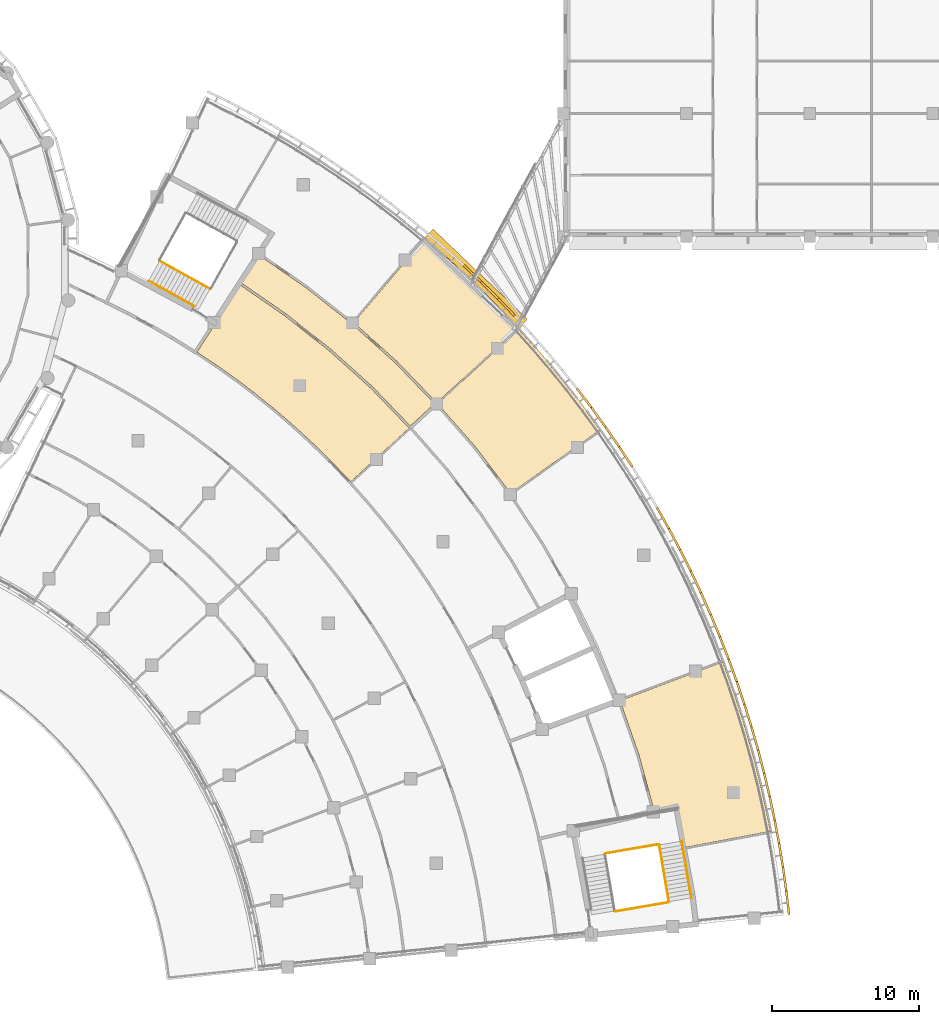
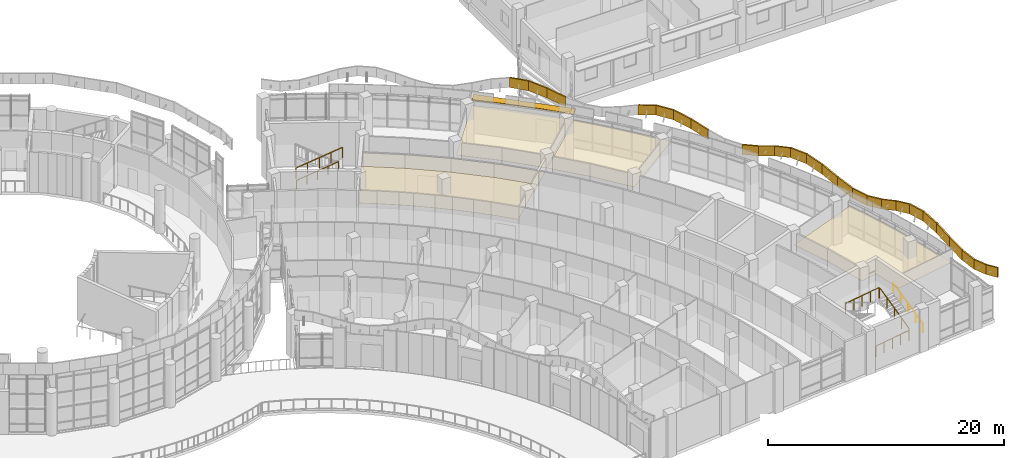
# One storey, part 126 of 136: 30 coverings, 6 railings, 1 shading device.
"""IFC4 building model written with IfcOpenShell, lengths in metres."""

from ifc_helpers import new_model, si_unit, direction, frame, origin, origin_2d, place, context, subcontext, project, spatial, polyline, circle, outline, extrude, material, layer, layer_set, type_object, element, save


model = new_model("IFC4")

# Units and contexts
model_context = context("Model", 3, precision=1e-05, world=origin(), true_north=direction((0.0, 1.0)))
body_context = subcontext(model_context, "Body", "Model", "MODEL_VIEW")
ifc_project = project(units=[si_unit("LENGTHUNIT", "METRE"), si_unit("AREAUNIT", "SQUARE_METRE"), si_unit("VOLUMEUNIT", "CUBIC_METRE"), si_unit("PLANEANGLEUNIT", "RADIAN"), si_unit("MASSUNIT", "GRAM", prefix="KILO")], contexts=[model_context])

# Site, building, storey
site_placement = place(None, origin())
site = spatial("IfcSite", under=ifc_project, at=site_placement, CompositionType="ELEMENT")
building_placement = place(site_placement, origin())
building = spatial("IfcBuilding", under=site, at=building_placement, Name="Bougainvillea Quay General Hospital", CompositionType="ELEMENT")
storey_placement = place(building_placement, frame((0.0, 0.0, 5.39990234375)))
storey = spatial("IfcBuildingStorey", under=building, at=storey_placement, Name="L01", CompositionType="ELEMENT", Elevation=5.39990234375)

# Coverings
ifc_material_1 = material(Name="Powder-coated aluminium fascia, yellow", Category="aluminium")
ifc_layer_1 = layer(ifc_material_1, 0.14990234375)
ifc_layer_set_1 = layer_set([ifc_layer_1], Name="Powder-coated aluminium fascia, yellow")
covering_type_1 = type_object("IfcCoveringType", Name="Aluminium wave fascia ribbon yellow 150x1000", PredefinedType="CLADDING", material=ifc_layer_set_1)
covering_1_placement = place(storey_placement, frame((179.114990234375, 29.351806640625, 4.19140625), z_axis=(-0.039802592448, 0.342501229596, 0.938673884456), x_axis=(-0.108973280462, 0.932326944529, -0.344806166781)))
element("IfcCovering", 1, at=covering_1_placement, inside=storey, type_object=covering_type_1, Name="Fascia ribbon yellow a23 1", PredefinedType="CLADDING", context=body_context, shape_type="SweptSolid", body=[
    extrude(outline(polyline([(0.0, 0.0), (1.7340441035636185, 4.851804721872632e-18), (1.7360496079670933, -0.1501579009468393), (-6.799023924437819e-05, -0.14993115295517168), (0.0, 0.0)])), origin(), (-0.344806166781, 0.00021445315, 0.938673884456), 1.0),
])
covering_2_placement = place(storey_placement, frame((178.926025390625, 30.968505859375, 3.593017578125), z_axis=(-0.030620838565, 0.216660235657, 0.975766727518), x_axis=(-0.13566321057, 0.966289934833, -0.218813288302)))
element("IfcCovering", 2, at=covering_2_placement, inside=storey, type_object=covering_type_1, Name="Fascia ribbon yellow a23 2", PredefinedType="CLADDING", context=body_context, shape_type="SweptSolid", body=[
    extrude(outline(polyline([(0.0, 0.0), (1.671868344867366, 5.0903291998194433e-17), (1.6737570676241027, -0.14991085398846166), (-0.0016202311729459952, -0.15016089651305273), (0.0, 0.0)])), origin(), (-0.218813288302, -0.000195784929, 0.975766727518), 1.0),
])
covering_3_placement = place(storey_placement, frame((178.69921875, 32.583984375, 3.22705078125), z_axis=(0.007718186612, -0.047007247102, 0.998864729738), x_axis=(-0.161884880431, 0.985659187452, 0.047636663187)))
element("IfcCovering", 3, at=covering_3_placement, inside=storey, type_object=covering_type_1, Name="Fascia ribbon yellow a23 3", PredefinedType="CLADDING", context=body_context, shape_type="SweptSolid", body=[
    extrude(outline(polyline([(0.0, 0.0), (1.6332779459125402, -1.7192227730420534e-17), (1.6348861387524976, -0.14994650111317376), (-0.0016224254520616293, -0.14991394751272352), (0.0, 0.0)])), origin(), (0.047636663187, -2.261032e-06, 0.998864729738), 1.0),
])
covering_4_placement = place(storey_placement, frame((178.434814453125, 34.19384765625, 3.30517578125), z_axis=(0.051032026193, -0.275799767053, 0.959859479714), x_axis=(-0.177428965213, 0.94331851237, 0.280480207008)))
element("IfcCovering", 4, at=covering_4_placement, inside=storey, type_object=covering_type_1, Name="Fascia ribbon yellow a23 4", PredefinedType="CLADDING", context=body_context, shape_type="SweptSolid", body=[
    extrude(outline(polyline([(0.0, 0.0), (1.6993289766454929, 1.3173056395698879e-17), (1.7012804694664252, -0.15014053525582835), (-0.001932061048945116, -0.149943351884414), (0.0, 0.0)])), origin(), (0.280480207008, -0.000795412242, 0.959859479714), 1.0),
])
covering_5_placement = place(storey_placement, frame((178.13330078125, 35.796875, 3.782470703125), z_axis=(0.072841747578, -0.338349936331, 0.938196887862), x_axis=(-0.194757290913, 0.917760268443, 0.346100689545)))
element("IfcCovering", 5, at=covering_5_placement, inside=storey, type_object=covering_type_1, Name="Fascia ribbon yellow a23 5", PredefinedType="CLADDING", context=body_context, shape_type="SweptSolid", body=[
    extrude(outline(polyline([(0.0, 0.0), (1.7387079288986067, 8.998878031629687e-18), (1.7406440178541864, -0.14989659463804245), (-0.0018134658221495954, -0.1501422757742349), (0.0, 0.0)])), origin(), (0.346100689545, 0.000955144831, 0.938196887862), 1.0),
])
covering_6_placement = place(storey_placement, frame((177.794677734375, 37.392578125, 4.384765625), z_axis=(0.053179231992, -0.221302499286, 0.97375416461), x_axis=(-0.224254279115, 0.947579956726, 0.227601063067)))
element("IfcCovering", 6, at=covering_6_placement, inside=storey, type_object=covering_type_1, Name="Fascia ribbon yellow a23 6", PredefinedType="CLADDING", context=body_context, shape_type="SweptSolid", body=[
    extrude(outline(polyline([(0.0, 0.0), (1.6754767223290168, -6.84673671924596e-17), (1.6770855187223581, -0.15015553036897858), (-0.0016748586810906461, -0.14989974653324548), (0.0, 0.0)])), origin(), (0.227601063067, 0.000763541906, 0.97375416461), 1.0),
])
covering_7_placement = place(storey_placement, frame((177.4189453125, 38.980224609375, 4.76611328125), z_axis=(-0.009002485394, 0.034557927803, 0.999362149014), x_axis=(-0.252644487843, 0.966899926745, -0.035711264638)))
element("IfcCovering", 7, at=covering_7_placement, inside=storey, type_object=covering_type_1, Name="Fascia ribbon yellow a23 7", PredefinedType="CLADDING", context=body_context, shape_type="SweptSolid", body=[
    extrude(outline(polyline([(0.0, 0.0), (1.6321515280025358, 1.984665958052606e-16), (1.6338164710791017, -0.15007132293066203), (-0.0018866137900868107, -0.1501520850365389), (0.0, 0.0)])), origin(), (-0.035711264638, 2.6367503e-05, 0.999362149014), 1.0),
])
covering_8_placement = place(storey_placement, frame((177.006591796875, 40.558349609375, 4.70751953125), z_axis=(-0.075326603967, 0.263197394335, 0.961796773934), x_axis=(-0.264568082036, 0.924692794787, -0.273764433841)))
element("IfcCovering", 8, at=covering_8_placement, inside=storey, type_object=covering_type_1, Name="Fascia ribbon yellow a23 8", PredefinedType="CLADDING", context=body_context, shape_type="SweptSolid", body=[
    extrude(outline(polyline([(0.0, 0.0), (1.696094385171199, 4.6857862642107895e-17), (1.6979809643980672, -0.14983637853817414), (-0.0018642990135040842, -0.15006978427426365), (0.0, 0.0)])), origin(), (-0.273764433841, -2.0338128e-05, 0.961796773934), 1.0),
])
covering_9_placement = place(storey_placement, frame((176.557861328125, 42.126708984375, 4.242431640625), z_axis=(-0.103447997854, 0.331259708975, 0.937851543129), x_axis=(-0.278914308439, 0.895417434064, -0.347036636858)))
element("IfcCovering", 9, at=covering_9_placement, inside=storey, type_object=covering_type_1, Name="Fascia ribbon yellow a23 9", PredefinedType="CLADDING", context=body_context, shape_type="SweptSolid", body=[
    extrude(outline(polyline([(0.0, 0.0), (1.7392444113958485, -1.3931997916438732e-17), (1.7412669861649173, -0.1499222801975567), (-0.0018186657416256304, -0.14983819852804336), (0.0, 0.0)])), origin(), (-0.347036636858, -0.000236068155, 0.937851543129), 1.0),
])
covering_10_placement = place(storey_placement, frame((176.07275390625, 43.68408203125, 3.63818359375), z_axis=(-0.076243022355, 0.223346374746, 0.971752745522), x_axis=(-0.310478270116, 0.920818866523, -0.235999700934)))
element("IfcCovering", 10, at=covering_10_placement, inside=storey, type_object=covering_type_1, Name="Fascia ribbon yellow a23 10", PredefinedType="CLADDING", context=body_context, shape_type="SweptSolid", body=[
    extrude(outline(polyline([(0.0, 0.0), (1.6788387900726673, 1.1329912702473521e-17), (1.6805684856140894, -0.15001438859598198), (-0.0016688780542970835, -0.1499256528696249), (0.0, 0.0)])), origin(), (-0.235999700934, -0.000861817357, 0.971752745522), 1.0),
])
covering_11_placement = place(storey_placement, frame((175.551513671875, 45.22998046875, 3.241943359375), z_axis=(0.008121244951, -0.022333423615, 0.999717591908), x_axis=(-0.341298128348, 0.939654644661, 0.02376418213)))
element("IfcCovering", 11, at=covering_11_placement, inside=storey, type_object=covering_type_1, Name="Fascia ribbon yellow a23 11", PredefinedType="CLADDING", context=body_context, shape_type="SweptSolid", body=[
    extrude(outline(polyline([(0.0, 0.0), (1.631667652391209, 2.9825300622244796e-17), (1.6335374361048602, -0.15003336577525664), (-0.001758550189425112, -0.15001385252875038), (0.0, 0.0)])), origin(), (0.02376418213, 8.809859e-06, 0.999717591908), 1.0),
])
covering_12_placement = place(storey_placement, frame((174.99462890625, 46.76318359375, 3.281005859375), z_axis=(0.097038662628, -0.248566596664, 0.963741741847), x_axis=(-0.349903092726, 0.897978840352, 0.266836706582)))
element("IfcCovering", 12, at=covering_12_placement, inside=storey, type_object=covering_type_1, Name="Fascia ribbon yellow a23 12", PredefinedType="CLADDING", context=body_context, shape_type="SweptSolid", body=[
    extrude(outline(polyline([(0.0, 0.0), (1.6927072925210291, -1.0394788328704774e-16), (1.6945686313491928, -0.1500513523665505), (-0.0016764021910121883, -0.15003645092279141), (0.0, 0.0)])), origin(), (0.266836706582, 0.000164444815, 0.963741741847), 1.0),
])
covering_13_placement = place(storey_placement, frame((174.40234375, 48.283203125, 3.733154296875), z_axis=(0.133773504316, -0.32099984651, 0.937583995215), x_axis=(-0.36060922791, 0.865462150094, 0.347758898521)))
element("IfcCovering", 13, at=covering_13_placement, inside=storey, type_object=covering_type_1, Name="Fascia ribbon yellow a23 13", PredefinedType="CLADDING", context=body_context, shape_type="SweptSolid", body=[
    extrude(outline(polyline([(0.0, 0.0), (1.7399127949327506, -7.534527472416452e-17), (1.7417698177352936, -0.150146482327218), (-0.0018394145709675442, -0.15005258625341758), (0.0, 0.0)])), origin(), (0.347758898521, 2.0397862e-05, 0.937583995215), 1.0),
])
covering_14_placement = place(storey_placement, frame((173.77490234375, 49.7890625, 4.338623046875), z_axis=(0.099126476939, -0.22328288593, 0.969700311653), x_axis=(-0.393617122684, 0.886219079441, 0.244297572571)))
element("IfcCovering", 14, at=covering_14_placement, inside=storey, type_object=covering_type_1, Name="Fascia ribbon yellow a23 14", PredefinedType="CLADDING", context=body_context, shape_type="SweptSolid", body=[
    extrude(outline(polyline([(0.0, 0.0), (1.6821035523498353, -1.174902460477495e-16), (1.6838927876774086, -0.15009531602407888), (-0.0018386311419397415, -0.15014573948220009), (0.0, 0.0)])), origin(), (0.244297572571, -4.0191964e-05, 0.969700311653), 1.0),
])
covering_15_placement = place(storey_placement, frame((173.11279296875, 51.27978515625, 4.749755859375), z_axis=(-0.005045547258, 0.010677339055, 0.99993026601), x_axis=(-0.426956134322, 0.904195220215, -0.011809449811)))
element("IfcCovering", 15, at=covering_15_placement, inside=storey, type_object=covering_type_1, Name="Fascia ribbon yellow a23 15", PredefinedType="CLADDING", context=body_context, shape_type="SweptSolid", body=[
    extrude(outline(polyline([(0.0, 0.0), (1.6313931441151965, 1.13405006143142e-16), (1.6332360953096392, -0.14990473128402415), (-0.0017564703883336877, -0.15009491451758686), (0.0, 0.0)])), origin(), (-0.011809449811, -3.404306e-06, 0.99993026601), 1.0),
])
covering_16_placement = place(storey_placement, frame((172.416259765625, 52.7548828125, 4.730224609375), z_axis=(-0.117100985079, 0.231599172377, 0.965737636549), x_axis=(-0.432584863482, 0.863435214783, -0.259518719478)))
element("IfcCovering", 16, at=covering_16_placement, inside=storey, type_object=covering_type_1, Name="Fascia ribbon yellow a23 16", PredefinedType="CLADDING", context=body_context, shape_type="SweptSolid", body=[
    extrude(outline(polyline([(0.0, 0.0), (1.6892051000233537, 2.168404344971009e-18), (1.6910500496882246, -0.15001914508454392), (-0.0017191917246558153, -0.1499069653290523), (0.0, 0.0)])), origin(), (-0.259518719478, -0.000922817837, 0.965737636549), 1.0),
])
covering_17_placement = place(storey_placement, frame((171.685546875, 54.21337890625, 4.291259765625), z_axis=(-0.163401643408, 0.307263055628, 0.937490969331), x_axis=(-0.439175528038, 0.828259820614, -0.34800937506)))
element("IfcCovering", 17, at=covering_17_placement, inside=storey, type_object=covering_type_1, Name="Fascia ribbon yellow a23 17", PredefinedType="CLADDING", context=body_context, shape_type="SweptSolid", body=[
    extrude(outline(polyline([(0.0, 0.0), (1.7399659116186252, 7.741203511546502e-17), (1.742081406148419, -0.14999850936297554), (-0.0017735832569746315, -0.15002161633331293), (0.0, 0.0)])), origin(), (-0.34800937506, -0.000396601155, 0.937490969331), 1.0),
])
covering_18_placement = place(storey_placement, frame((170.92138671875, 55.654541015625, 3.68505859375), z_axis=(-0.123403974414, 0.219749270053, 0.967719854819), x_axis=(-0.473135440625, 0.844170962185, -0.252028255218)))
element("IfcCovering", 18, at=covering_18_placement, inside=storey, type_object=covering_type_1, Name="Fascia ribbon yellow a23 18", PredefinedType="CLADDING", context=body_context, shape_type="SweptSolid", body=[
    extrude(outline(polyline([(0.0, 0.0), (1.6857751921820292, -9.043601371244714e-17), (1.687602182428211, -0.1501585794808723), (-0.001585357705684014, -0.15000405543636477), (0.0, 0.0)])), origin(), (-0.252028255218, -0.000202884105, 0.967719854819), 1.0),
])
covering_19_placement = place(storey_placement, frame((168.430908203125, 59.866455078125, 3.68505859375), z_axis=(0.190823525826, -0.291048345029, 0.937484529391), x_axis=(-0.514114775688, 0.783940840691, 0.348026946825)))
element("IfcCovering", 19, at=covering_19_placement, inside=storey, type_object=covering_type_1, Name="Fascia ribbon yellow a23 21", PredefinedType="CLADDING", context=body_context, shape_type="SweptSolid", body=[
    extrude(outline(polyline([(0.0, 0.0), (1.7399171980434929, 1.3227266504323154e-16), (1.7418061759723176, -0.15004185314744473), (-0.0019216592720402484, -0.15006844901866148), (0.0, 0.0)])), origin(), (0.348026946825, -3.7899359e-05, 0.937484529391), 1.0),
])
covering_20_placement = place(storey_placement, frame((167.536376953125, 61.23046875, 4.291015625), z_axis=(0.147458988016, -0.213794406693, 0.96568514461), x_axis=(-0.548173602587, 0.795017925112, 0.259715614042)))
element("IfcCovering", 20, at=covering_20_placement, inside=storey, type_object=covering_type_1, Name="Fascia ribbon yellow a23 22", PredefinedType="CLADDING", context=body_context, shape_type="SweptSolid", body=[
    extrude(outline(polyline([(0.0, 0.0), (1.6892883396210263, 4.241940999849536e-17), (1.6911359094804905, -0.1500969984980882), (-0.0018058643149032562, -0.1500419009012475), (0.0, 0.0)])), origin(), (0.259715614042, 3.6088561e-05, 0.96568514461), 1.0),
])
covering_21_placement = place(storey_placement, frame((166.6103515625, 62.573486328125, 4.72998046875), z_axis=(0.007199542846, -0.009921807662, 0.999924859335), x_axis=(-0.586533450251, 0.809832227176, 0.012258693429)))
element("IfcCovering", 21, at=covering_21_placement, inside=storey, type_object=covering_type_1, Name="Fascia ribbon yellow a23 23", PredefinedType="CLADDING", context=body_context, shape_type="SweptSolid", body=[
    extrude(outline(polyline([(0.0, 0.0), (1.6312578089945347, -9.380085209541485e-17), (1.6332225151468143, -0.15003692456921633), (-0.0016966189889228017, -0.15009798546312855), (0.0, 0.0)])), origin(), (0.012258693429, 1.0949737e-05, 0.999924859335), 1.0),
])
covering_22_placement = place(storey_placement, frame((165.653564453125, 63.89453125, 4.749755859375), z_axis=(-0.14773349913, 0.194198067404, 0.969774161262), x_axis=(-0.586867704624, 0.772041597866, -0.244004238557)))
element("IfcCovering", 22, at=covering_22_placement, inside=storey, type_object=covering_type_1, Name="Fascia ribbon yellow a23 24", PredefinedType="CLADDING", context=body_context, shape_type="SweptSolid", body=[
    extrude(outline(polyline([(0.0, 0.0), (1.6823060115139652, 7.093392713486413e-17), (1.6839946966042258, -0.1499647604812636), (-0.0015806934668391153, -0.1500422295065442), (0.0, 0.0)])), origin(), (-0.244004238557, -8.7832666e-05, 0.969774161262), 1.0),
])
covering_23_placement = place(storey_placement, frame((160.424072265625, 70.148193359375, 3.63818359375), z_axis=(0.240507653185, -0.250105376434, 0.937871723339), x_axis=(-0.650209724221, 0.675892512175, 0.346982170311)))
element("IfcCovering", 23, at=covering_23_placement, inside=storey, type_object=covering_type_1, Name="Fascia ribbon yellow a23 29", PredefinedType="CLADDING", context=body_context, shape_type="SweptSolid", body=[
    extrude(outline(polyline([(0.0, 0.0), (1.7395654091702195, -1.623592753297043e-16), (1.7414108095729723, -0.1500137829707109), (-0.0019004285488658733, -0.15008062677902254), (0.0, 0.0)])), origin(), (0.346982170311, -6.3625929e-05, 0.937871723339), 1.0),
])
covering_24_placement = place(storey_placement, frame((159.29296875, 71.323974609375, 4.242431640625), z_axis=(0.194452997281, -0.193115017942, 0.96171441795), x_axis=(-0.68269240977, 0.677366747235, 0.274053577576)))
element("IfcCovering", 24, at=covering_24_placement, inside=storey, type_object=covering_type_1, Name="Fascia ribbon yellow a23 30", PredefinedType="CLADDING", context=body_context, shape_type="SweptSolid", body=[
    extrude(outline(polyline([(0.0, 0.0), (1.6961660214193033, 7.654467337747661e-17), (1.6978931921479314, -0.15002614257712638), (-0.0018609166445058883, -0.1500126237549819), (0.0, 0.0)])), origin(), (0.274053577576, -0.000122162703, 0.96171441795), 1.0),
])
covering_25_placement = place(storey_placement, frame((158.135009765625, 72.472900390625, 4.70751953125), z_axis=(0.026754905349, -0.024224827989, 0.999348454118), x_axis=(-0.725460261176, 0.687317544059, 0.036083279813)))
element("IfcCovering", 25, at=covering_25_placement, inside=storey, type_object=covering_type_1, Name="Fascia ribbon yellow a23 31", PredefinedType="CLADDING", context=body_context, shape_type="SweptSolid", body=[
    extrude(outline(polyline([(0.0, 0.0), (1.6321783330305875, 1.641549851778834e-16), (1.6340004237190981, -0.14994970230478682), (-0.0018129975911151332, -0.15002452340181438), (0.0, 0.0)])), origin(), (0.036083279813, 0.000814965796, 0.999348454118), 1.0),
])

# Railings
ifc_material_2 = material(Name="Stainless steel 304 balustrade", Category="steel")
railing_type_1 = type_object("IfcRailingType", Name="Stair guard 1100", PredefinedType="GUARDRAIL", material=ifc_material_2)
railing_1_placement = place(storey_placement, frame((136.260498046875, 73.9443359375, 2.400146484375)))
element("IfcRailing", 26, at=railing_1_placement, inside=storey, type_object=railing_type_1, Name="L01 ST-E1 stair guard 4", PredefinedType="GUARDRAIL", context=body_context, shape_type="SweptSolid", body=[
    extrude(circle(Radius=0.02392578125, at=origin_2d()), frame((0.0, 0.0, 1.076171875), z_axis=(0.769815379663, -0.429432028222, 0.472199549314), x_axis=(0.487165150775, 0.87330986246, 0.0)), (0.0, 0.0, 1.0), 4.447021484375),
    extrude(circle(Radius=0.02099609375, at=origin_2d()), origin(), (0.0, 0.0, 1.0), 1.052001953125),
    extrude(circle(Radius=0.02099609375, at=origin_2d()), frame((0.85595703125, -0.4775390625, 0.52490234375)), (0.0, 0.0, 1.0), 1.052001953125),
    extrude(circle(Radius=0.02099609375, at=origin_2d()), frame((1.711669921875, -0.954833984375, 1.0498046875)), (0.0, 0.0, 1.0), 1.052001953125),
    extrude(circle(Radius=0.02099609375, at=origin_2d()), frame((2.5673828125, -1.43212890625, 1.574951171875)), (0.0, 0.0, 1.0), 1.052001953125),
    extrude(circle(Radius=0.02099609375, at=origin_2d()), frame((3.42333984375, -1.90966796875, 2.099853515625)), (0.0, 0.0, 1.0), 1.052001953125),
])
railing_2_placement = place(storey_placement, frame((170.99755859375, 30.240966796875, 0.150146484375)))
element("IfcRailing", 27, at=railing_2_placement, inside=storey, type_object=railing_type_1, Name="L01 ST-E2 stair guard 1", PredefinedType="GUARDRAIL", context=body_context, shape_type="SweptSolid", body=[
    extrude(circle(Radius=0.02392578125, at=origin_2d()), frame((0.0, 0.0, 1.076171875), z_axis=(-0.147845078716, 0.869008448199, 0.472192915722), x_axis=(-0.985834537871, -0.167720791616, 0.0)), (0.0, 0.0, 1.0), 4.447021484375),
    extrude(circle(Radius=0.02099609375, at=origin_2d()), origin(), (0.0, 0.0, 1.0), 1.052001953125),
    extrude(circle(Radius=0.02099609375, at=origin_2d()), frame((-0.164306640625, 0.966064453125, 0.52490234375)), (0.0, 0.0, 1.0), 1.052001953125),
    extrude(circle(Radius=0.02099609375, at=origin_2d()), frame((-0.32861328125, 1.93212890625, 1.0498046875)), (0.0, 0.0, 1.0), 1.052001953125),
    extrude(circle(Radius=0.02099609375, at=origin_2d()), frame((-0.4931640625, 2.8984375, 1.574951171875)), (0.0, 0.0, 1.0), 1.052001953125),
    extrude(circle(Radius=0.02099609375, at=origin_2d()), frame((-0.657470703125, 3.864501953125, 2.099853515625)), (0.0, 0.0, 1.0), 1.052001953125),
])
railing_3_placement = place(storey_placement, frame((170.2822265625, 34.146240234375, 2.25)))
element("IfcRailing", 28, at=railing_3_placement, inside=storey, type_object=railing_type_1, Name="L01 ST-E2 stair guard 2", PredefinedType="GUARDRAIL", context=body_context, shape_type="SweptSolid", body=[
    extrude(circle(Radius=0.02392578125, at=origin_2d()), frame((0.0, 0.0, 1.076171875), z_axis=(-0.985834555997, -0.167720685074, 0.0), x_axis=(0.167720685074, -0.985834555997, 0.0)), (0.0, 0.0, 1.0), 3.657958984375),
    extrude(circle(Radius=0.02099609375, at=origin_2d()), origin(), (0.0, 0.0, 1.0), 1.052001953125),
    extrude(circle(Radius=0.02099609375, at=origin_2d()), frame((-0.901611328125, -0.1533203125, 0.0)), (0.0, 0.0, 1.0), 1.052001953125),
    extrude(circle(Radius=0.02099609375, at=origin_2d()), frame((-1.80322265625, -0.306640625, 0.0)), (0.0, 0.0, 1.0), 1.052001953125),
    extrude(circle(Radius=0.02099609375, at=origin_2d()), frame((-2.70458984375, -0.460205078125, 0.0)), (0.0, 0.0, 1.0), 1.052001953125),
    extrude(circle(Radius=0.02099609375, at=origin_2d()), frame((-3.606201171875, -0.613525390625, 0.0)), (0.0, 0.0, 1.0), 1.052001953125),
])
railing_4_placement = place(storey_placement, frame((170.95654296875, 30.183349609375, 0.0)))
element("IfcRailing", 29, at=railing_4_placement, inside=storey, type_object=railing_type_1, Name="L01 ST-E2 stair guard 5", PredefinedType="GUARDRAIL", context=body_context, shape_type="SweptSolid", body=[
    extrude(circle(Radius=0.02392578125, at=origin_2d()), frame((0.0, 0.0, 1.076171875), z_axis=(-0.98582351867, -0.167785547758, 0.0), x_axis=(0.167785547758, -0.98582351867, 0.0)), (0.0, 0.0, 1.0), 3.657958984375),
    extrude(circle(Radius=0.02099609375, at=origin_2d()), origin(), (0.0, 0.0, 1.0), 1.052001953125),
    extrude(circle(Radius=0.02099609375, at=origin_2d()), frame((-0.901611328125, -0.1533203125, 0.0)), (0.0, 0.0, 1.0), 1.052001953125),
    extrude(circle(Radius=0.02099609375, at=origin_2d()), frame((-1.80322265625, -0.306884765625, 0.0)), (0.0, 0.0, 1.0), 1.052001953125),
    extrude(circle(Radius=0.02099609375, at=origin_2d()), frame((-2.70458984375, -0.46044921875, 0.0)), (0.0, 0.0, 1.0), 1.052001953125),
    extrude(circle(Radius=0.02099609375, at=origin_2d()), frame((-3.606201171875, -0.61376953125, 0.0)), (0.0, 0.0, 1.0), 1.052001953125),
])
ifc_material_3 = material(Name="Stainless steel 304 handrail", Category="steel")
railing_type_2 = type_object("IfcRailingType", Name="Stair handrail 900", PredefinedType="HANDRAIL", material=ifc_material_3)
railing_5_placement = place(storey_placement, frame((172.525634765625, 30.5009765625, 0.150146484375)))
element("IfcRailing", 30, at=railing_5_placement, inside=storey, type_object=railing_type_2, Name="L01 ST-E2 stair handrail 1", PredefinedType="HANDRAIL", context=body_context, shape_type="SweptSolid", body=[
    extrude(circle(Radius=0.02392578125, at=origin_2d()), frame((0.0, 0.0, 0.8759765625), z_axis=(-0.147845078716, 0.869008448199, 0.472192915722), x_axis=(-0.985834537871, -0.167720791616, 0.0)), (0.0, 0.0, 1.0), 4.447021484375),
    extrude(circle(Radius=0.02099609375, at=origin_2d()), origin(), (0.0, 0.0, 1.0), 0.851806640625),
    extrude(circle(Radius=0.02099609375, at=origin_2d()), frame((-0.164306640625, 0.966064453125, 0.52490234375)), (0.0, 0.0, 1.0), 0.851806640625),
    extrude(circle(Radius=0.02099609375, at=origin_2d()), frame((-0.32861328125, 1.93212890625, 1.0498046875)), (0.0, 0.0, 1.0), 0.851806640625),
    extrude(circle(Radius=0.02099609375, at=origin_2d()), frame((-0.4931640625, 2.8984375, 1.574951171875)), (0.0, 0.0, 1.0), 0.851806640625),
    extrude(circle(Radius=0.02099609375, at=origin_2d()), frame((-0.657470703125, 3.864501953125, 2.099853515625)), (0.0, 0.0, 1.0), 0.851806640625),
])
railing_6_placement = place(storey_placement, frame((135.50537109375, 72.5908203125, 2.400146484375)))
element("IfcRailing", 31, at=railing_6_placement, inside=storey, type_object=railing_type_2, Name="L01 ST-E1 stair handrail 2", PredefinedType="HANDRAIL", context=body_context, shape_type="SweptSolid", body=[
    extrude(circle(Radius=0.02392578125, at=origin_2d()), frame((0.0, 0.0, 0.8759765625), z_axis=(0.769792393887, -0.429489114699, 0.472185102125), x_axis=(0.487225634456, 0.873276119637, 0.0)), (0.0, 0.0, 1.0), 4.05419921875),
    extrude(circle(Radius=0.02099609375, at=origin_2d()), origin(), (0.0, 0.0, 1.0), 0.851806640625),
    extrude(circle(Radius=0.02099609375, at=origin_2d()), frame((0.7802734375, -0.435302734375, 0.478515625)), (0.0, 0.0, 1.0), 0.851806640625),
    extrude(circle(Radius=0.02099609375, at=origin_2d()), frame((1.560546875, -0.87060546875, 0.95703125)), (0.0, 0.0, 1.0), 0.851806640625),
    extrude(circle(Radius=0.02099609375, at=origin_2d()), frame((2.340576171875, -1.305908203125, 1.435791015625)), (0.0, 0.0, 1.0), 0.851806640625),
    extrude(circle(Radius=0.02099609375, at=origin_2d()), frame((3.120849609375, -1.7412109375, 1.914306640625)), (0.0, 0.0, 1.0), 0.851806640625),
])

# Shading device
ifc_material_4 = material(Name="Powder-coated aluminium canopy soffit and fascia, white", Category="aluminium")
ifc_layer_2 = layer(ifc_material_4, 0.10009765625)
ifc_layer_set_2 = layer_set([ifc_layer_2], Name="Powder-coated aluminium canopy soffit and fascia, white")
shading_device_type = type_object("IfcShadingDeviceType", Name="Sunshade 100", PredefinedType="USERDEFINED", material=ifc_layer_set_2)
shading_device_placement = place(storey_placement, frame((0.0, 0.0, 3.150146484375)))
element("IfcShadingDevice", 32, at=shading_device_placement, inside=storey, type_object=shading_device_type, Name="Sunshade 0", ObjectType="Sunshade", PredefinedType="USERDEFINED", context=body_context, shape_type="SweptSolid", body=[
    extrude(outline(polyline([(154.910888671875, 76.12890625), (154.318603515625, 75.510986328125), (155.5419921875, 74.464111328125), (157.14306640625, 73.0048828125), (158.697021484375, 71.4970703125), (160.205078125, 69.943115234375), (160.74072265625, 69.35498046875), (161.333984375, 69.97412109375), (154.910888671875, 76.12890625)])), origin(), (0.0, 0.0, 1.0), 0.099853515625),
])

# Coverings
ifc_material_5 = material(Name="Mineral fibre ceiling tile")
ifc_layer_3 = layer(ifc_material_5, 0.030029296875)
ifc_layer_set_3 = layer_set([ifc_layer_3], Name="Mineral fibre ceiling tile")
covering_type_2 = type_object("IfcCoveringType", Name="Suspended ceiling mineral fibre tile", PredefinedType="CEILING", material=ifc_layer_set_3)
covering_26_placement = place(storey_placement, frame((0.0, 0.0, 2.400146484375)))
element("IfcCovering", 33, at=covering_26_placement, inside=storey, type_object=covering_type_2, Name="Ceiling Clinic Corridor 01E1", PredefinedType="CEILING", context=body_context, shape_type="SweptSolid", body=[
    extrude(outline(polyline([(141.794921875, 72.461669921875), (144.8466796875, 70.352783203125), (144.849609375, 70.3564453125), (144.906494140625, 70.311279296875), (144.96630859375, 70.27001953125), (144.963623046875, 70.266357421875), (147.858154296875, 67.9814453125), (147.861328125, 67.98486328125), (147.915283203125, 67.936279296875), (147.972412109375, 67.891357421875), (147.969482421875, 67.8876953125), (150.711181640625, 65.42236328125), (150.715087890625, 65.426025390625), (150.76513671875, 65.3740234375), (150.81884765625, 65.32568359375), (150.8154296875, 65.32177734375), (153.352783203125, 62.684814453125), (155.00830078125, 64.206298828125), (152.32177734375, 66.9990234375), (149.36474609375, 69.65673828125), (146.244384765625, 72.12060546875), (143.014404296875, 74.3525390625), (141.794921875, 72.461669921875)])), origin(), (0.0, 0.0, 1.0), 0.030029296875),
])
covering_27_placement = place(storey_placement, frame((0.0, 0.0, 2.7001953125)))
element("IfcCovering", 34, at=covering_27_placement, inside=storey, type_object=covering_type_2, Name="Ceiling Quay Terrace Waiting Hall Waiting Hall 01E101", PredefinedType="CEILING", context=body_context, shape_type="SweptSolid", body=[
    extrude(outline(polyline([(140.07568359375, 69.795654296875), (140.11669921875, 69.77001953125), (140.115966796875, 69.768798828125), (140.1171875, 69.767822265625), (140.010986328125, 69.600341796875), (140.009765625, 69.60107421875), (138.802734375, 67.728515625), (140.103271484375, 66.859619140625), (140.1044921875, 66.861572265625), (140.16455078125, 66.818603515625), (140.22607421875, 66.777587890625), (140.224853515625, 66.77587890625), (141.518310546875, 65.851318359375), (141.51953125, 65.85302734375), (141.578369140625, 65.808349609375), (141.638671875, 65.765380859375), (141.637451171875, 65.763671875), (142.611328125, 65.02490234375), (142.612548828125, 65.0263671875), (142.670166015625, 64.980224609375), (142.72900390625, 64.935302734375), (142.727783203125, 64.933837890625), (143.92626953125, 63.969970703125), (143.927734375, 63.9716796875), (143.98388671875, 63.923828125), (144.04150390625, 63.87744140625), (144.0400390625, 63.875732421875), (145.20751953125, 62.876220703125), (145.208984375, 62.8779296875), (145.263671875, 62.828125), (145.31982421875, 62.7802734375), (145.318359375, 62.778564453125), (146.454833984375, 61.742431640625), (146.456298828125, 61.744140625), (146.50927734375, 61.692626953125), (146.56396484375, 61.642822265625), (146.5625, 61.641357421875), (147.667236328125, 60.571044921875), (147.669189453125, 60.572998046875), (147.72021484375, 60.52001953125), (147.77294921875, 60.46875), (147.771240234375, 60.466796875), (149.271240234375, 58.901123046875), (149.273193359375, 58.90283203125), (149.2890625, 58.885009765625), (153.277099609375, 62.54736328125), (150.660888671875, 65.26611328125), (147.818603515625, 67.821533203125), (144.8173828125, 70.190673828125), (141.71337890625, 72.33544921875), (140.07568359375, 69.795654296875)])), origin(), (0.0, 0.0, 1.0), 0.02978515625),
])
covering_28_placement = place(storey_placement, frame((0.0, 0.0, 2.7001953125)))
element("IfcCovering", 35, at=covering_28_placement, inside=storey, type_object=covering_type_2, Name="Ceiling Quay Terrace Waiting Hall Examination Room 01E112", PredefinedType="CEILING", context=body_context, shape_type="SweptSolid", body=[
    extrude(outline(polyline([(155.77099609375, 74.2548828125), (155.73828125, 74.21728515625), (154.3125, 75.449951171875), (149.500732421875, 69.740478515625), (149.518310546875, 69.726318359375), (149.515380859375, 69.72265625), (152.372314453125, 67.155517578125), (152.3759765625, 67.158935546875), (152.42626953125, 67.10693359375), (152.47998046875, 67.05859375), (152.476318359375, 67.0546875), (155.118896484375, 64.307861328125), (155.12353515625, 64.3095703125), (155.1552734375, 64.2734375), (160.6796875, 69.346435546875), (158.92626953125, 71.18994140625), (157.35546875, 72.728759765625), (156.501953125, 73.520263671875), (156.535888671875, 73.556884765625), (155.77099609375, 74.2548828125)])), origin(), (0.0, 0.0, 1.0), 0.02978515625),
])
covering_29_placement = place(storey_placement, frame((0.0, 0.0, 2.7001953125)))
element("IfcCovering", 36, at=covering_29_placement, inside=storey, type_object=covering_type_2, Name="Ceiling General Medicine Consulting Room 01E111", PredefinedType="CEILING", context=body_context, shape_type="SweptSolid", body=[
    extrude(outline(polyline([(164.742919921875, 64.593017578125), (164.703857421875, 64.56201171875), (163.337158203125, 66.286376953125), (162.599609375, 67.172119140625), (162.637939453125, 67.2041015625), (161.9560546875, 68.0), (161.918701171875, 67.966552734375), (160.74755859375, 69.27294921875), (155.222900390625, 64.19970703125), (155.25634765625, 64.1650390625), (155.254150390625, 64.16064453125), (157.767333984375, 61.2939453125), (157.771728515625, 61.297119140625), (157.815185546875, 61.239501953125), (157.86279296875, 61.18505859375), (157.85888671875, 61.181640625), (160.17431640625, 58.117431640625), (160.17822265625, 58.119873046875), (160.190673828125, 58.10107421875), (166.285888671875, 62.40869140625), (165.33447265625, 63.725830078125), (165.375, 63.7548828125), (164.742919921875, 64.593017578125)])), origin(), (0.0, 0.0, 1.0), 0.02978515625),
])
covering_30_placement = place(storey_placement, frame((0.0, 0.0, 2.7001953125)))
element("IfcCovering", 37, at=covering_30_placement, inside=storey, type_object=covering_type_2, Name="Ceiling Geriatric Assessment Consulting Room 01E111", PredefinedType="CEILING", context=body_context, shape_type="SweptSolid", body=[
    extrude(outline(polyline([(168.97265625, 40.167236328125), (169.98193359375, 36.4375), (171.41943359375, 36.779052734375), (171.51708984375, 36.800537109375), (171.95654296875, 34.803955078125), (171.9580078125, 34.804443359375), (171.9775390625, 34.7080078125), (171.97607421875, 34.70751953125), (172.119140625, 33.94189453125), (177.914794921875, 35.036865234375), (177.76708984375, 35.8310546875), (177.29833984375, 37.9794921875), (176.76171875, 40.111083984375), (176.1591796875, 42.2255859375), (175.48974609375, 44.320068359375), (174.676025390625, 46.59423828125), (167.656005859375, 43.950927734375), (167.673828125, 43.90625), (167.67041015625, 43.90283203125), (168.9296875, 40.3056640625), (168.934814453125, 40.306884765625), (168.95361328125, 40.2373046875), (168.9775390625, 40.1689453125), (168.97265625, 40.167236328125)])), origin(), (0.0, 0.0, 1.0), 0.02978515625),
])

save(model, "model.ifc")
